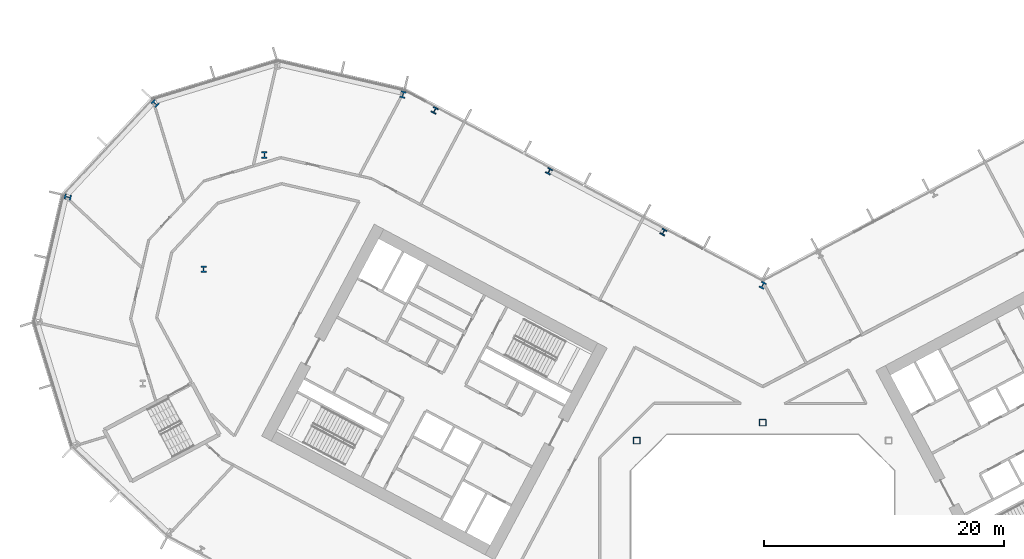
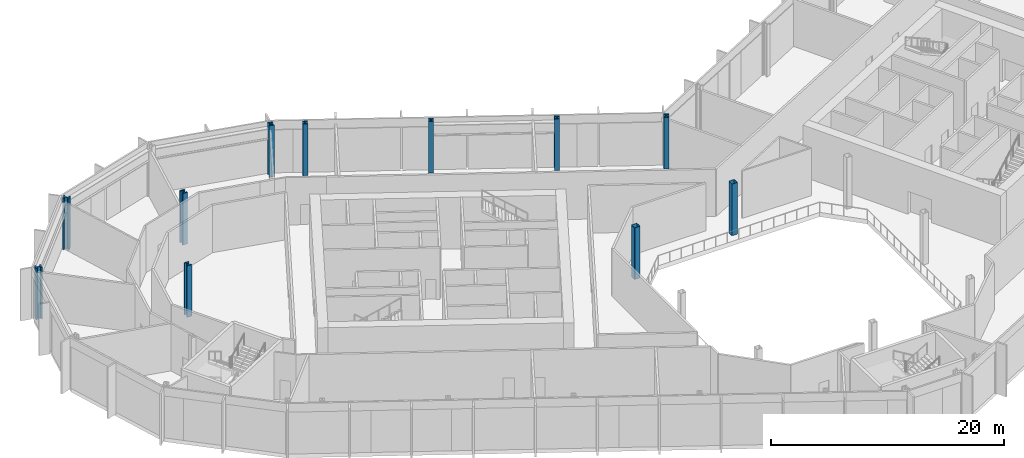
# One storey, part 2 of 32: 11 columns.
"""IFC4 building model written with IfcOpenShell, lengths in metres."""

from ifc_helpers import new_model, si_unit, direction, frame, origin, origin_2d, place, context, subcontext, project, spatial, hollow_rectangle, i_section, extrude, material, material_profile, profile_set, type_object, element, save


model = new_model("IFC4")

# Units and contexts
model_context = context("Model", 3, precision=1e-05, world=origin(), true_north=direction((0.0, 1.0)))
body_context = subcontext(model_context, "Body", "Model", "MODEL_VIEW")
ifc_project = project(units=[si_unit("LENGTHUNIT", "METRE"), si_unit("AREAUNIT", "SQUARE_METRE"), si_unit("VOLUMEUNIT", "CUBIC_METRE"), si_unit("PLANEANGLEUNIT", "RADIAN"), si_unit("MASSUNIT", "GRAM", prefix="KILO")], contexts=[model_context])

# Site, building, storey
site_placement = place(None, origin())
site = spatial("IfcSite", under=ifc_project, at=site_placement, CompositionType="ELEMENT")
building_placement = place(site_placement, origin())
building = spatial("IfcBuilding", under=site, at=building_placement, Name="Cormorant Relay Tower", CompositionType="ELEMENT")
storey_placement = place(building_placement, frame((0.0, 0.0, 17.60009765625)))
storey = spatial("IfcBuildingStorey", under=building, at=storey_placement, Name="L03", CompositionType="ELEMENT", Elevation=17.60009765625)

# Columns
ifc_material_1 = material(Name="Steel ASTM A1085 Grade A (Fy 345 MPa)", Category="steel")
ifc_material_profile_1 = material_profile(ifc_material_1, hollow_rectangle(XDim=0.558837890625, YDim=0.558837890625, WallThickness=0.023681640625, InnerFilletRadius=0.01171875, OuterFilletRadius=0.035400390625, at=origin_2d()), Name="HSS559x559x24")
ifc_profile_set_1 = profile_set([ifc_material_profile_1], Name="Steel ASTM A1085 Grade A (Fy 345 MPa)")
column_type_1 = type_object("IfcColumnType", Name="Column HSS559x559x24", PredefinedType="COLUMN", material=ifc_profile_set_1)
for number, where, z_axis, x_axis, name in (
    (1, (-10.5, 10.5, 0.0), (0.0, 0.0, 1.0), (1.0, 0.0, 0.0), "Column L03-022"),
    (2, (0.0, 12.0, 0.0), (0.0, 0.0, 1.0), (1.0, 0.0, 0.0), "Column L03-024"),
):
    element("IfcColumn", number, at=place(storey_placement, frame(where, z_axis=z_axis, x_axis=x_axis)), inside=storey, type_object=column_type_1, Name=name, PredefinedType="COLUMN", context=body_context, shape_type="SweptSolid", body=[
        extrude(hollow_rectangle(XDim=0.558837890625, YDim=0.558837890625, WallThickness=0.023681640625, InnerFilletRadius=0.01171875, OuterFilletRadius=0.035400390625, at=origin_2d()), origin(), (0.0, 0.0, 1.0), 5.39990234375),
    ])
ifc_material_2 = material(Name="Steel ASTM A992 (Fy 345 MPa)", Category="steel")
ifc_material_profile_2 = material_profile(ifc_material_2, i_section(OverallWidth=0.45458984375, OverallDepth=0.569091796875, WebThickness=0.077880859375, FlangeThickness=0.124755859375, FilletRadius=0.015380859375, at=origin_2d()), Name="W360x1086")
ifc_profile_set_2 = profile_set([ifc_material_profile_2], Name="Steel ASTM A992 (Fy 345 MPa)")
column_type_2 = type_object("IfcColumnType", Name="Column W360x1086", PredefinedType="COLUMN", material=ifc_profile_set_2)
for number, where, z_axis, x_axis, name in (
    (3, (0.0, 23.4541015625, 0.0), (0.0, 0.0, 1.0), (-0.882947592859, 0.469471562786, 0.0), "Column L03-032"),
    (4, (-46.6201171875, 24.7880859375, 0.0), (0.0, 0.0, 1.0), (1.0, 0.0, 0.0), "Column L03-034"),
    (5, (-57.93896484375, 30.806884765625, 0.0), (0.0, 0.0, 1.0), (-0.224951054344, -0.974370064785, 0.0), "Column L03-038"),
    (6, (-41.549072265625, 34.323974609375, 0.0), (0.0, 0.0, 1.0), (1.0, 0.0, 0.0), "Column L03-043"),
    (7, (-50.659912109375, 38.613037109375, 0.0), (0.0, 0.0, 1.0), (-0.681998360062, -0.731353701619, 0.0), "Column L03-047"),
    (8, (-29.992919921875, 39.35009765625, 0.0), (0.0, 0.0, 1.0), (-0.974370064785, 0.224951054344, 0.0), "Column L03-048"),
):
    element("IfcColumn", number, at=place(storey_placement, frame(where, z_axis=z_axis, x_axis=x_axis)), inside=storey, type_object=column_type_2, Name=name, PredefinedType="COLUMN", context=body_context, shape_type="SweptSolid", body=[
        extrude(i_section(OverallWidth=0.45458984375, OverallDepth=0.569091796875, WebThickness=0.077880859375, FlangeThickness=0.124755859375, FilletRadius=0.015380859375, at=origin_2d()), origin(), (0.0, 0.0, 1.0), 5.39990234375),
    ])
ifc_material_3 = material(Name="Steel ASTM A992 (Fy 345 MPa)", Category="steel")
ifc_material_profile_3 = material_profile(ifc_material_3, i_section(OverallWidth=0.43701171875, OverallDepth=0.51318359375, WebThickness=0.060546875, FlangeThickness=0.096923828125, FilletRadius=0.015380859375, at=origin_2d()), Name="W360x818")
ifc_profile_set_3 = profile_set([ifc_material_profile_3], Name="Steel ASTM A992 (Fy 345 MPa)")
column_type_3 = type_object("IfcColumnType", Name="Column W360x818", PredefinedType="COLUMN", material=ifc_profile_set_3)
for number, where, z_axis, x_axis, name in (
    (9, (-8.27490234375, 27.889892578125, 0.0), (0.0, 0.0, 1.0), (-0.882947592859, 0.469471562786, 0.0), "Column L03-036"),
    (10, (-17.81103515625, 32.9599609375, 0.0), (0.0, 0.0, 1.0), (-0.882947592859, 0.469471562786, 0.0), "Column L03-041"),
    (11, (-27.346923828125, 38.030029296875, 0.0), (0.0, 0.0, 1.0), (-0.882947592859, 0.469471562786, 0.0), "Column L03-046"),
):
    element("IfcColumn", number, at=place(storey_placement, frame(where, z_axis=z_axis, x_axis=x_axis)), inside=storey, type_object=column_type_3, Name=name, PredefinedType="COLUMN", context=body_context, shape_type="SweptSolid", body=[
        extrude(i_section(OverallWidth=0.43701171875, OverallDepth=0.51318359375, WebThickness=0.060546875, FlangeThickness=0.096923828125, FilletRadius=0.015380859375, at=origin_2d()), origin(), (0.0, 0.0, 1.0), 5.39990234375),
    ])

save(model, "model.ifc")
